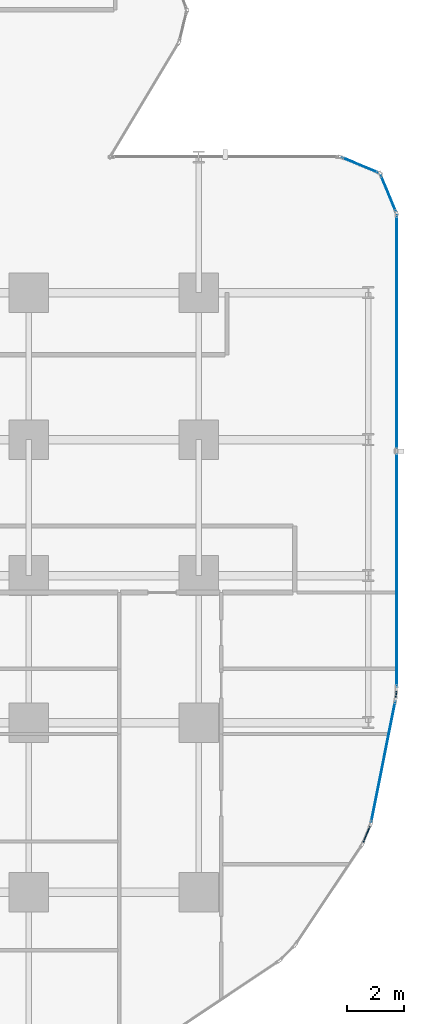
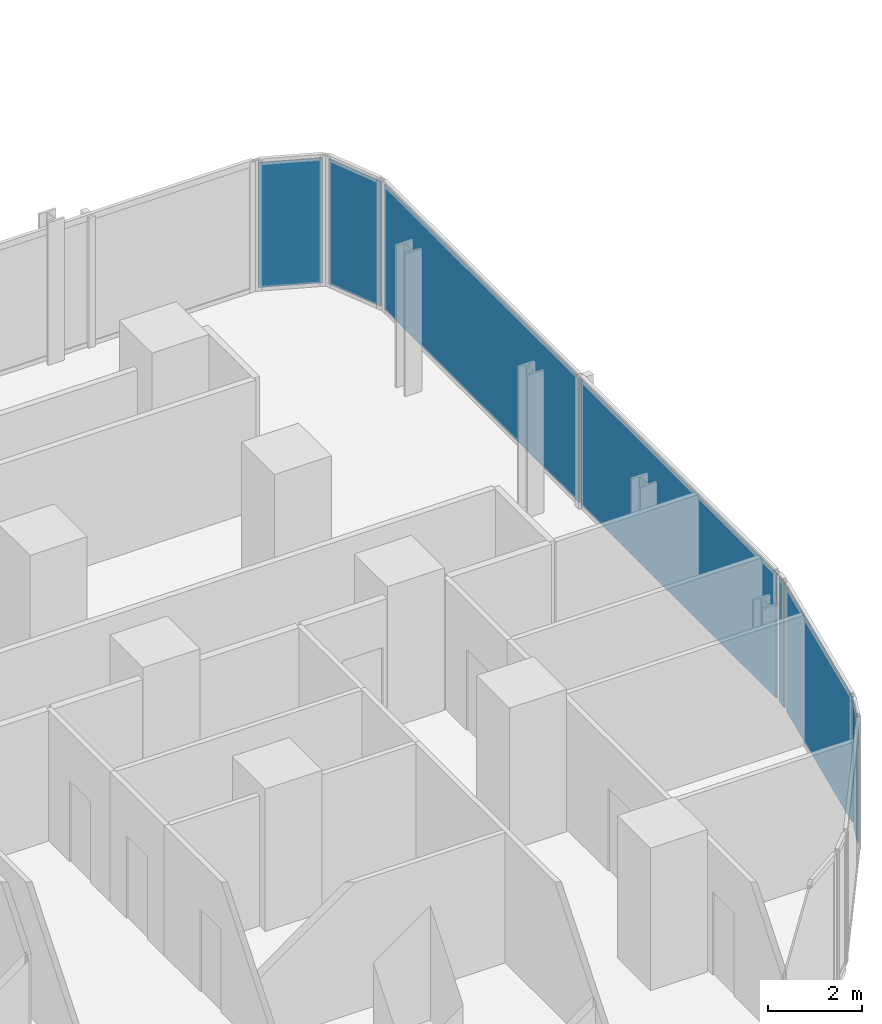
# One storey, part 25 of 35: 7 plates, 6 elements without a shape of their own.
"""IFC4 building model written with IfcOpenShell, lengths in metres."""

from ifc_helpers import new_model, si_unit, direction, frame, origin, origin_2d, place, context, subcontext, project, spatial, rectangle, extrude, material, layer, layer_set, type_object, element, aggregate, save


model = new_model("IFC4")

# Units and contexts
model_context = context("Model", 3, precision=1e-05, world=origin(), true_north=direction((0.0, 1.0)))
body_context = subcontext(model_context, "Body", "Model", "MODEL_VIEW")
ifc_project = project(units=[si_unit("LENGTHUNIT", "METRE"), si_unit("AREAUNIT", "SQUARE_METRE"), si_unit("VOLUMEUNIT", "CUBIC_METRE"), si_unit("PLANEANGLEUNIT", "RADIAN"), si_unit("MASSUNIT", "GRAM", prefix="KILO")], contexts=[model_context])

# Site, building, storey
site_placement = place(None, origin())
site = spatial("IfcSite", under=ifc_project, at=site_placement, CompositionType="ELEMENT")
building_placement = place(site_placement, origin())
building = spatial("IfcBuilding", under=site, at=building_placement, Name="Keshet Zoharim Tower", CompositionType="ELEMENT")
storey_placement = place(building_placement, frame((0.0, 0.0, 24.0)))
storey = spatial("IfcBuildingStorey", under=building, at=storey_placement, Name="L04", CompositionType="ELEMENT", Elevation=24.0)

# Curtain wall, plate
ifc_material_1 = material(Name="Aluminium 6063-T6", Category="aluminium")
ifc_layer_1 = layer(ifc_material_1, 0.179931640625)
ifc_layer_set_1 = layer_set([ifc_layer_1], Name="Aluminium 6063-T6")
curtain_wall_type_1 = type_object("IfcCurtainWallType", Name="CW-SYS-01", PredefinedType="NOTDEFINED", material=ifc_layer_set_1)
curtain_wall_1_placement = place(storey_placement, origin())
curtain_wall_1 = element("IfcCurtainWall", 1, at=curtain_wall_1_placement, inside=storey, type_object=curtain_wall_type_1, Name="L04 Unitised Curtain Wall 19", PredefinedType="NOTDEFINED")
ifc_material_2 = material(Name="Insulated Low-E Clear Glass", Category="glass")
ifc_layer_2 = layer(ifc_material_2, 0.035888671875)
ifc_layer_set_2 = layer_set([ifc_layer_2], Name="Insulated Low-E Clear Glass")
plate_type_1 = type_object("IfcPlateType", Name="CWP-01", PredefinedType="CURTAIN_PANEL", material=ifc_layer_set_2)
plate_1_placement = place(storey_placement, frame((68.9384765625, 8.75439453125, 0.06982421875), z_axis=(0.0, 0.0, 1.0), x_axis=(-0.383068349739, -0.923720000557, 0.0)))
plate_1 = element("IfcPlate", 2, at=plate_1_placement, type_object=plate_type_1, Name="CW-01 panel 1.1", PredefinedType="CURTAIN_PANEL", context=body_context, shape_type="SweptSolid", body=[
    extrude(rectangle(XDim=0.640625, YDim=0.035888671875, at=origin_2d()), origin(), (0.0, 0.0, 1.0), 3.2451171875),
])
aggregate(curtain_wall_1, [plate_1])

ifc_layer_3 = layer(ifc_material_1, 0.169921875)
ifc_layer_set_3 = layer_set([ifc_layer_3], Name="Aluminium 6063-T6")
curtain_wall_type_2 = type_object("IfcCurtainWallType", Name="CW-SYS-02", PredefinedType="NOTDEFINED", material=ifc_layer_set_3)
curtain_wall_2_placement = place(storey_placement, origin())
curtain_wall_2 = element("IfcCurtainWall", 3, at=curtain_wall_2_placement, inside=storey, type_object=curtain_wall_type_2, Name="L04 Unitised Curtain Wall 14", PredefinedType="NOTDEFINED")
ifc_layer_4 = layer(ifc_material_2, 0.031982421875)
ifc_layer_set_4 = layer_set([ifc_layer_4], Name="Insulated Low-E Clear Glass")
plate_type_2 = type_object("IfcPlateType", Name="CWP-02", PredefinedType="CURTAIN_PANEL", material=ifc_layer_set_4)
plate_2_placement = place(storey_placement, frame((68.70703125, 32.406982421875, 0.06982421875), z_axis=(0.0, 0.0, 1.0), x_axis=(0.92380975372, -0.382851849847, 0.0)))
plate_2 = element("IfcPlate", 4, at=plate_2_placement, type_object=plate_type_2, Name="CW-02 panel 1.1", PredefinedType="CURTAIN_PANEL", context=body_context, shape_type="SweptSolid", body=[
    extrude(rectangle(XDim=1.390625, YDim=0.031982421875, at=origin_2d()), origin(), (0.0, 0.0, 1.0), 3.2451171875),
])
aggregate(curtain_wall_2, [plate_2])

curtain_wall_3_placement = place(storey_placement, origin())
curtain_wall_3 = element("IfcCurtainWall", 5, at=curtain_wall_3_placement, inside=storey, type_object=curtain_wall_type_2, Name="L04 Unitised Curtain Wall 15", PredefinedType="NOTDEFINED")
plate_3_placement = place(storey_placement, frame((69.70703125, 31.406982421875, 0.06982421875), z_axis=(0.0, 0.0, 1.0), x_axis=(0.382851849847, -0.92380975372, 0.0)))
plate_3 = element("IfcPlate", 6, at=plate_3_placement, type_object=plate_type_2, Name="CW-02 panel 1.1", PredefinedType="CURTAIN_PANEL", context=body_context, shape_type="SweptSolid", body=[
    extrude(rectangle(XDim=1.390625, YDim=0.031982421875, at=origin_2d()), origin(), (0.0, 0.0, 1.0), 3.2451171875),
])
aggregate(curtain_wall_3, [plate_3])

# Curtain wall, plates
curtain_wall_4_placement = place(storey_placement, origin())
curtain_wall_4 = element("IfcCurtainWall", 7, at=curtain_wall_4_placement, inside=storey, type_object=curtain_wall_type_2, Name="L04 Unitised Curtain Wall 16", PredefinedType="NOTDEFINED")
plate_4_placement = place(storey_placement, frame((70.0, 26.481689453125, 0.06982421875), z_axis=(0.0, 0.0, 1.0), x_axis=(0.0, -1.0, 0.0)))
plate_4 = element("IfcPlate", 8, at=plate_4_placement, type_object=plate_type_2, Name="CW-02 panel 1.1", PredefinedType="CURTAIN_PANEL", context=body_context, shape_type="SweptSolid", body=[
    extrude(rectangle(XDim=8.29638671875, YDim=0.031982421875, at=origin_2d()), origin(), (0.0, 0.0, 1.0), 3.2451171875),
])
plate_5_placement = place(storey_placement, frame((70.0, 18.115234375, 0.06982421875), z_axis=(0.0, 0.0, 1.0), x_axis=(0.0, -1.0, 0.0)))
plate_5 = element("IfcPlate", 9, at=plate_5_placement, type_object=plate_type_2, Name="CW-02 panel 2.1", PredefinedType="CURTAIN_PANEL", context=body_context, shape_type="SweptSolid", body=[
    extrude(rectangle(XDim=8.29638671875, YDim=0.031982421875, at=origin_2d()), origin(), (0.0, 0.0, 1.0), 3.2451171875),
])
aggregate(curtain_wall_4, [plate_4, plate_5])

# Curtain wall, plate
curtain_wall_5_placement = place(storey_placement, origin())
curtain_wall_5 = element("IfcCurtainWall", 10, at=curtain_wall_5_placement, inside=storey, type_object=curtain_wall_type_2, Name="L04 Unitised Curtain Wall 17", PredefinedType="NOTDEFINED")
plate_6_placement = place(storey_placement, frame((69.98095703125, 13.701904296875, 0.06982421875), z_axis=(0.0, 0.0, 1.0), x_axis=(-0.096976648633, -0.995286657009, 0.0)))
plate_6 = element("IfcPlate", 11, at=plate_6_placement, type_object=plate_type_2, Name="CW-02 panel 1.1", PredefinedType="CURTAIN_PANEL", context=body_context, shape_type="SweptSolid", body=[
    extrude(rectangle(XDim=0.251953125, YDim=0.031982421875, at=origin_2d()), origin(), (0.0, 0.0, 1.0), 3.2451171875),
])
aggregate(curtain_wall_5, [plate_6])

curtain_wall_6_placement = place(storey_placement, origin())
curtain_wall_6 = element("IfcCurtainWall", 12, at=curtain_wall_6_placement, inside=storey, type_object=curtain_wall_type_2, Name="L04 Unitised Curtain Wall 18", PredefinedType="NOTDEFINED")
plate_7_placement = place(storey_placement, frame((69.52490234375, 11.31103515625, 0.06982421875), z_axis=(0.0, 0.0, 1.0), x_axis=(-0.195171279072, -0.98076917357, 0.0)))
plate_7 = element("IfcPlate", 13, at=plate_7_placement, type_object=plate_type_2, Name="CW-02 panel 1.1", PredefinedType="CURTAIN_PANEL", context=body_context, shape_type="SweptSolid", body=[
    extrude(rectangle(XDim=4.338134765625, YDim=0.031982421875, at=origin_2d()), origin(), (0.0, 0.0, 1.0), 3.2451171875),
])
aggregate(curtain_wall_6, [plate_7])

save(model, "model.ifc")
